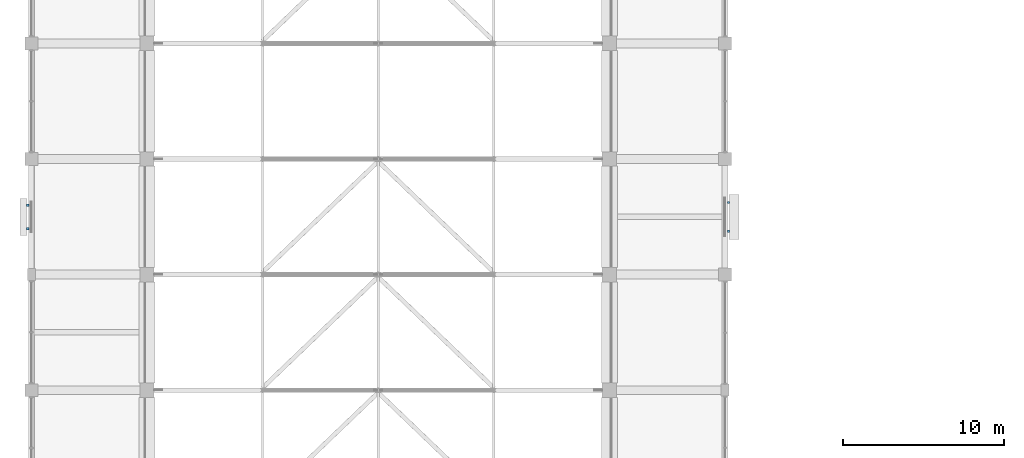
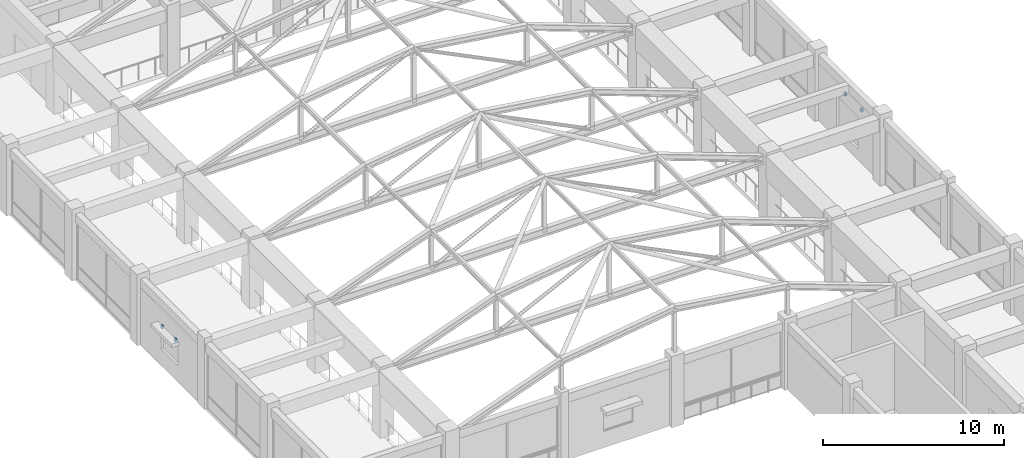
# One storey, part 70 of 75: 4 discrete accessories.
"""IFC4 building model written with IfcOpenShell, lengths in metres."""

from ifc_helpers import new_model, si_unit, direction, frame, origin, origin_2d, place, context, subcontext, project, spatial, rectangle, extrude, material, type_object, element, save


model = new_model("IFC4")

# Units and contexts
model_context = context("Model", 3, precision=1e-05, world=origin(), true_north=direction((0.0, 1.0)))
body_context = subcontext(model_context, "Body", "Model", "MODEL_VIEW")
ifc_project = project(units=[si_unit("LENGTHUNIT", "METRE"), si_unit("AREAUNIT", "SQUARE_METRE"), si_unit("VOLUMEUNIT", "CUBIC_METRE"), si_unit("PLANEANGLEUNIT", "RADIAN"), si_unit("MASSUNIT", "GRAM", prefix="KILO")], contexts=[model_context])

# Site, building, storey
site_placement = place(None, origin())
site = spatial("IfcSite", under=ifc_project, at=site_placement, CompositionType="ELEMENT")
building_placement = place(site_placement, origin())
building = spatial("IfcBuilding", under=site, at=building_placement, Name="Cendaluz Park School", CompositionType="ELEMENT")
storey_placement = place(building_placement, frame((0.0, 0.0, 4.800048828125)))
storey = spatial("IfcBuildingStorey", under=building, at=storey_placement, Name="L01", CompositionType="ELEMENT", Elevation=4.800048828125)

# Discrete accessories
ifc_material = material(Name="Steel S355", Category="steel")
discrete_accessory_type = type_object("IfcDiscreteAccessoryType", Name="BK-01", PredefinedType="BRACKET", material=ifc_material)
for number, where, z_axis, x_axis, name in (
    (1, (-0.219970703125, 74.8515625, 2.6298828125), (0.0, 0.0, 1.0), (0.0, 1.0, 0.0), "BK-L01-071"),
    (2, (-0.219970703125, 76.323486328125, 2.6298828125), (0.0, 0.0, 1.0), (0.0, 1.0, 0.0), "BK-L01-072"),
    (3, (43.419921875, 74.7041015625, 2.93017578125), (0.0, 0.0, 1.0), (0.0, 1.0, 0.0), "BK-L01-079"),
    (4, (43.419921875, 76.49609375, 2.93017578125), (0.0, 0.0, 1.0), (0.0, 1.0, 0.0), "BK-L01-080"),
):
    element("IfcDiscreteAccessory", number, at=place(storey_placement, frame(where, z_axis=z_axis, x_axis=x_axis)), inside=storey, type_object=discrete_accessory_type, Name=name, PredefinedType="BRACKET", context=body_context, shape_type="SweptSolid", body=[
        extrude(rectangle(XDim=0.139892578125, YDim=0.139892578125, at=origin_2d()), origin(), (0.0, 0.0, 1.0), 0.219970703125),
    ])

save(model, "model.ifc")
